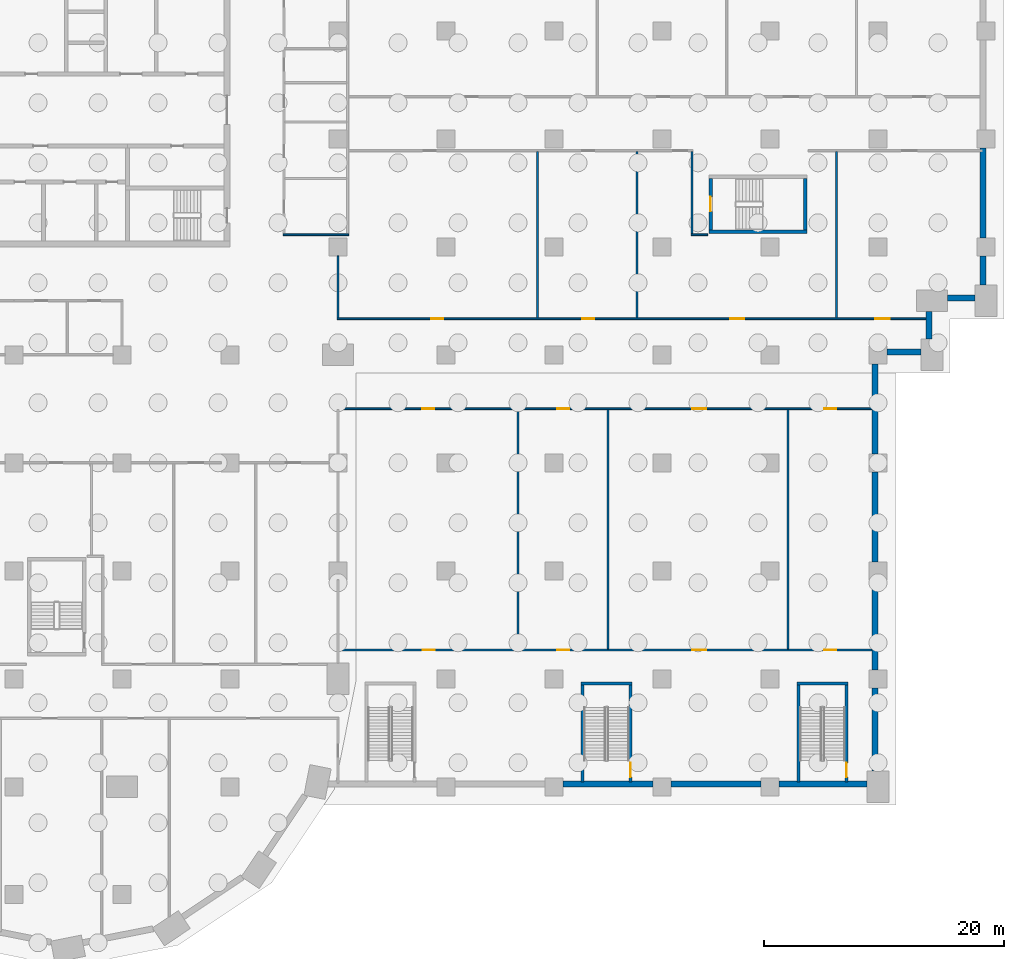
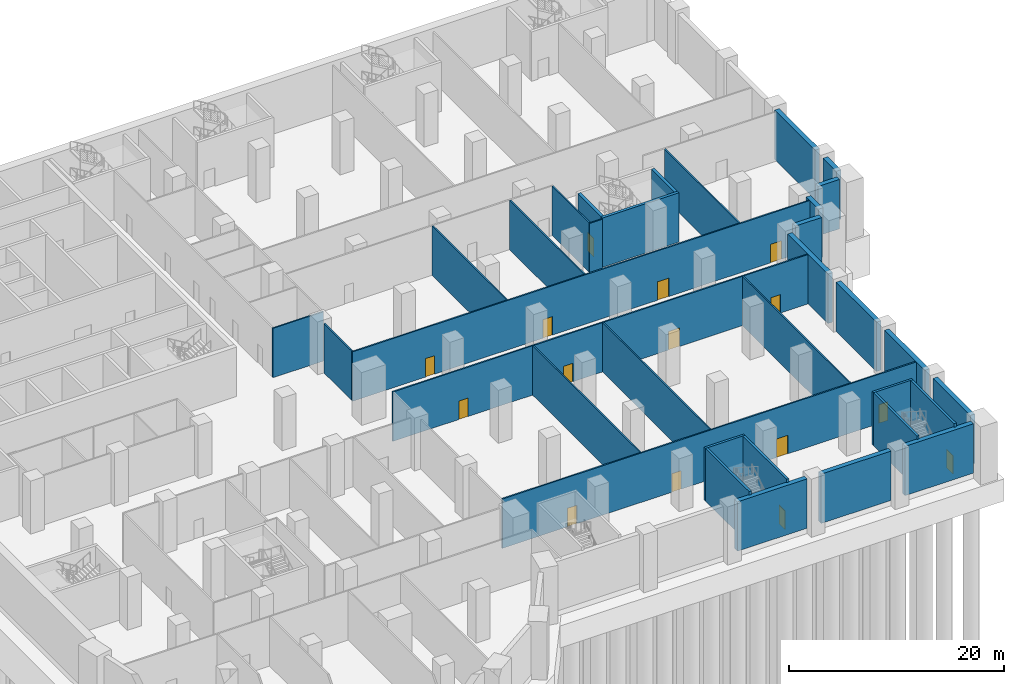
# One storey, part 6 of 25: 34 walls, 15 doors, 15 openings.
"""IFC4 building model written with IfcOpenShell, lengths in metres."""

from ifc_helpers import new_model, si_unit, direction, frame, frame_2d, origin, place, context, subcontext, project, spatial, rectangle, extrude, material, layer, layer_set, type_object, element, fill, save


model = new_model("IFC4")

# Units and contexts
model_context = context("Model", 3, precision=1e-05, world=origin(), true_north=direction((0.0, 1.0)))
body_context = subcontext(model_context, "Body", "Model", "MODEL_VIEW")
ifc_project = project(units=[si_unit("LENGTHUNIT", "METRE"), si_unit("AREAUNIT", "SQUARE_METRE"), si_unit("VOLUMEUNIT", "CUBIC_METRE"), si_unit("PLANEANGLEUNIT", "RADIAN"), si_unit("MASSUNIT", "GRAM", prefix="KILO")], contexts=[model_context])

# Site, building, storey
site_placement = place(None, origin())
site = spatial("IfcSite", under=ifc_project, at=site_placement, CompositionType="ELEMENT")
building_placement = place(site_placement, origin())
building = spatial("IfcBuilding", under=site, at=building_placement, Name="Hunhe Ridgeline Campus", CompositionType="ELEMENT")
storey_placement = place(building_placement, frame((0.0, 0.0, -6.0)))
storey = spatial("IfcBuildingStorey", under=building, at=storey_placement, Name="B1", CompositionType="ELEMENT", Elevation=-6.0)

# Walls
ifc_material_1 = material(Name="Concrete C50", Category="concrete")
ifc_layer_1 = layer(ifc_material_1, 0.5)
ifc_layer_set_1 = layer_set([ifc_layer_1], Name="Basement perimeter wall 500 C50")
wall_type_1 = type_object("IfcWallType", Name="Basement perimeter wall 500 C50", PredefinedType="SOLIDWALL", material=ifc_layer_set_1)
wall_1_placement = place(storey_placement, frame((90.75, 54.25, 0.0), z_axis=(0.0, 0.0, 1.0), x_axis=(1.0, 0.0, 0.0)))
element("IfcWall", 1, at=wall_1_placement, inside=storey, type_object=wall_type_1, Name="Basement perimeter wall", PredefinedType="SOLIDWALL", context=body_context, shape_type="SweptSolid", body=[
    extrude(rectangle(XDim=2.85009765625, YDim=0.5, at=frame_2d((1.425048828125, 0.0))), origin(), (0.0, 0.0, 1.0), 5.60009765625),
])
for number, where, z_axis, x_axis, name in (
    (2, (94.25, 55.300048828125, 0.0), (0.0, 0.0, 1.0), (0.0, 1.0, 0.0), "Basement perimeter wall"),
    (3, (95.800048828125, 58.75, 0.0), (0.0, 0.0, 1.0), (1.0, 0.0, 0.0), "Basement perimeter wall"),
):
    element("IfcWall", number, at=place(storey_placement, frame(where, z_axis=z_axis, x_axis=x_axis)), inside=storey, type_object=wall_type_1, Name=name, PredefinedType="SOLIDWALL", context=body_context, shape_type="SweptSolid", body=[
        extrude(rectangle(XDim=2.300048828125, YDim=0.5, at=frame_2d((1.14990234375, 0.0))), origin(), (0.0, 0.0, 1.0), 5.60009765625),
    ])
wall_2_placement = place(storey_placement, frame((98.75, 59.800048828125, 0.0), z_axis=(0.0, 0.0, 1.0), x_axis=(0.0, 1.0, 0.0)))
element("IfcWall", 4, at=wall_2_placement, inside=storey, type_object=wall_type_1, Name="Basement perimeter wall", PredefinedType="SOLIDWALL", context=body_context, shape_type="SweptSolid", body=[
    extrude(rectangle(XDim=2.449951171875, YDim=0.5, at=frame_2d((1.22509765625, 0.0))), origin(), (0.0, 0.0, 1.0), 5.60009765625),
])
for number, where, z_axis, x_axis, name in (
    (5, (98.75, 63.75, 0.0), (0.0, 0.0, 1.0), (0.0, 1.0, 0.0), "Basement perimeter wall"),
    (6, (63.75, 18.25, 0.0), (0.0, 0.0, 1.0), (1.0, 0.0, 0.0), "Basement perimeter wall"),
    (7, (72.75, 18.25, 0.0), (0.0, 0.0, 1.0), (1.0, 0.0, 0.0), "Basement perimeter wall"),
):
    element("IfcWall", number, at=place(storey_placement, frame(where, z_axis=z_axis, x_axis=x_axis)), inside=storey, type_object=wall_type_1, Name=name, PredefinedType="SOLIDWALL", context=body_context, shape_type="SweptSolid", body=[
        extrude(rectangle(XDim=7.5, YDim=0.5, at=frame_2d((3.75, 0.0))), origin(), (0.0, 0.0, 1.0), 5.60009765625),
    ])
wall_3_placement = place(storey_placement, frame((81.75, 18.25, 0.0), z_axis=(0.0, 0.0, 1.0), x_axis=(1.0, 0.0, 0.0)))
element("IfcWall", 8, at=wall_3_placement, inside=storey, type_object=wall_type_1, Name="Basement perimeter wall", PredefinedType="SOLIDWALL", context=body_context, shape_type="SweptSolid", body=[
    extrude(rectangle(XDim=7.35009765625, YDim=0.5, at=frame_2d((3.675048828125, 0.0))), origin(), (0.0, 0.0, 1.0), 5.60009765625),
])
wall_4_placement = place(storey_placement, frame((89.75, 19.300048828125, 0.0), z_axis=(0.0, 0.0, 1.0), x_axis=(0.0, 1.0, 0.0)))
element("IfcWall", 9, at=wall_4_placement, inside=storey, type_object=wall_type_1, Name="Basement perimeter wall", PredefinedType="SOLIDWALL", context=body_context, shape_type="SweptSolid", body=[
    extrude(rectangle(XDim=6.949951171875, YDim=0.5, at=frame_2d((3.47509765625, 0.0))), origin(), (0.0, 0.0, 1.0), 5.60009765625),
])
for number, where, z_axis, x_axis, name in (
    (10, (89.75, 27.75, 0.0), (0.0, 0.0, 1.0), (0.0, 1.0, 0.0), "Basement perimeter wall"),
    (11, (89.75, 36.75, 0.0), (0.0, 0.0, 1.0), (0.0, 1.0, 0.0), "Basement perimeter wall"),
    (12, (89.75, 45.75, 0.0), (0.0, 0.0, 1.0), (0.0, 1.0, 0.0), "Basement perimeter wall"),
):
    element("IfcWall", number, at=place(storey_placement, frame(where, z_axis=z_axis, x_axis=x_axis)), inside=storey, type_object=wall_type_1, Name=name, PredefinedType="SOLIDWALL", context=body_context, shape_type="SweptSolid", body=[
        extrude(rectangle(XDim=7.5, YDim=0.5, at=frame_2d((3.75, 0.0))), origin(), (0.0, 0.0, 1.0), 5.60009765625),
    ])
ifc_material_2 = material(Name="Plastered blockwork", Category="masonry")
ifc_layer_2 = layer(ifc_material_2, 0.14990234375)
ifc_layer_set_2 = layer_set([ifc_layer_2], Name="Blockwork partition 150")
wall_type_2 = type_object("IfcWallType", Name="Blockwork partition 150", PredefinedType="PARTITIONING", material=ifc_layer_set_2)
wall_5_placement = place(storey_placement, frame((45.0, 57.074951171875, 0.0), z_axis=(0.0, 0.0, 1.0), x_axis=(0.0, 1.0, 0.0)))
element("IfcWall", 13, at=wall_5_placement, inside=storey, type_object=wall_type_2, Name="B1 partition", PredefinedType="PARTITIONING", context=body_context, shape_type="SweptSolid", body=[
    extrude(rectangle(XDim=5.175048828125, YDim=0.14990234375, at=frame_2d((2.58740234375, 0.0))), origin(), (0.0, 0.0, 1.0), 5.60009765625),
])
wall_6_placement = place(storey_placement, frame((60.0, 29.47509765625, 0.0), z_axis=(0.0, 0.0, 1.0), x_axis=(0.0, 1.0, 0.0)))
element("IfcWall", 14, at=wall_6_placement, inside=storey, type_object=wall_type_2, Name="B1 partition", PredefinedType="PARTITIONING", context=body_context, shape_type="SweptSolid", body=[
    extrude(rectangle(XDim=19.949951171875, YDim=0.14990234375, at=frame_2d((9.97509765625, 0.0))), origin(), (0.0, 0.0, 1.0), 5.60009765625),
])

# Wall, openings, doors
wall_7_placement = place(storey_placement, frame((89.699951171875, 29.39990234375, 0.0), z_axis=(0.0, 0.0, 1.0), x_axis=(-1.0, 0.0, 0.0)))
wall_7 = element("IfcWall", 15, at=wall_7_placement, inside=storey, type_object=wall_type_2, Name="B1 partition", PredefinedType="PARTITIONING", context=body_context, shape_type="SweptSolid", body=[
    extrude(rectangle(XDim=44.625, YDim=0.14990234375, at=frame_2d((22.3125, 0.0))), origin(), (0.0, 0.0, 1.0), 5.60009765625),
])
opening_1_placement = place(wall_7_placement, frame((36.625, 0.0, 0.0)))
opening_1 = element("IfcOpeningElement", 16, at=opening_1_placement, cuts=wall_7, Name="Opening PD011", PredefinedType="OPENING", context=body_context, shape_type="SweptSolid", body=[
    extrude(rectangle(XDim=1.0, YDim=2.10009765625, at=frame_2d((0.5, 1.050048828125))), frame((0.0, 0.074951171875, 0.0), z_axis=(0.0, -1.0, 0.0), x_axis=(1.0, 0.0, 0.0)), (0.0, 0.0, 1.0), 0.14990234375),
])
opening_2_placement = place(wall_7_placement, frame((25.449951171875, 0.0, 0.0)))
opening_2 = element("IfcOpeningElement", 17, at=opening_2_placement, cuts=wall_7, Name="Opening PD012", PredefinedType="OPENING", context=body_context, shape_type="SweptSolid", body=[
    extrude(rectangle(XDim=1.0, YDim=2.10009765625, at=frame_2d((0.5, 1.050048828125))), frame((0.0, 0.074951171875, 0.0), z_axis=(0.0, -1.0, 0.0), x_axis=(1.0, 0.0, 0.0)), (0.0, 0.0, 1.0), 0.14990234375),
])
opening_3_placement = place(wall_7_placement, frame((14.0, 0.0, 0.0)))
opening_3 = element("IfcOpeningElement", 18, at=opening_3_placement, cuts=wall_7, Name="Opening PD014", PredefinedType="OPENING", context=body_context, shape_type="SweptSolid", body=[
    extrude(rectangle(XDim=1.199951171875, YDim=2.10009765625, at=frame_2d((0.60009765625, 1.050048828125))), frame((0.0, 0.074951171875, 0.0), z_axis=(0.0, -1.0, 0.0), x_axis=(1.0, 0.0, 0.0)), (0.0, 0.0, 1.0), 0.14990234375),
])
opening_4_placement = place(wall_7_placement, frame((3.199951171875, 0.0, 0.0)))
opening_4 = element("IfcOpeningElement", 19, at=opening_4_placement, cuts=wall_7, Name="Opening PD016", PredefinedType="OPENING", context=body_context, shape_type="SweptSolid", body=[
    extrude(rectangle(XDim=1.0, YDim=2.10009765625, at=frame_2d((0.5, 1.050048828125))), frame((0.0, 0.074951171875, 0.0), z_axis=(0.0, -1.0, 0.0), x_axis=(1.0, 0.0, 0.0)), (0.0, 0.0, 1.0), 0.14990234375),
])
ifc_material_3 = material(Name="Steel Q235", Category="steel")
door_type_1 = type_object("IfcDoorType", Name="Podium fire door 1200x2100 FD60", OperationType="NOTDEFINED", PredefinedType="DOOR", material=ifc_material_3)
door_1_placement = place(opening_3_placement, origin())
door_1 = element("IfcDoor", 20, at=door_1_placement, inside=storey, type_object=door_type_1, Name="Mechanical Plant Room door", OperationType="SINGLE_SWING_LEFT", OverallHeight=2.10009765625, OverallWidth=1.199951171875, PredefinedType="DOOR", context=body_context, shape_type="SweptSolid", body=[
    extrude(rectangle(XDim=1.199951171875, YDim=2.10009765625, at=frame_2d((0.60009765625, 1.050048828125))), frame((0.0, 0.02490234375, 0.0), z_axis=(0.0, -1.0, 0.0), x_axis=(1.0, 0.0, 0.0)), (0.0, 0.0, 1.0), 0.050048828125),
])
fill(opening_3, door_1)
ifc_material_4 = material(Name="Timber", Category="wood")
door_type_2 = type_object("IfcDoorType", Name="Podium timber door 1000x2100", OperationType="NOTDEFINED", PredefinedType="DOOR", material=ifc_material_4)
door_2_placement = place(opening_1_placement, origin())
door_2 = element("IfcDoor", 21, at=door_2_placement, inside=storey, type_object=door_type_2, Name="Workshop door", OperationType="SINGLE_SWING_RIGHT", OverallHeight=2.10009765625, OverallWidth=1.0, PredefinedType="DOOR", context=body_context, shape_type="SweptSolid", body=[
    extrude(rectangle(XDim=1.0, YDim=2.10009765625, at=frame_2d((0.5, 1.050048828125))), frame((0.0, 0.02490234375, 0.0), z_axis=(0.0, -1.0, 0.0), x_axis=(1.0, 0.0, 0.0)), (0.0, 0.0, 1.0), 0.050048828125),
])
fill(opening_1, door_2)
door_3_placement = place(opening_2_placement, origin())
door_3 = element("IfcDoor", 22, at=door_3_placement, inside=storey, type_object=door_type_2, Name="Print and Copy Room door", OperationType="SINGLE_SWING_RIGHT", OverallHeight=2.10009765625, OverallWidth=1.0, PredefinedType="DOOR", context=body_context, shape_type="SweptSolid", body=[
    extrude(rectangle(XDim=1.0, YDim=2.10009765625, at=frame_2d((0.5, 1.050048828125))), frame((0.0, 0.02490234375, 0.0), z_axis=(0.0, -1.0, 0.0), x_axis=(1.0, 0.0, 0.0)), (0.0, 0.0, 1.0), 0.050048828125),
])
fill(opening_2, door_3)
door_4_placement = place(opening_4_placement, origin())
door_4 = element("IfcDoor", 23, at=door_4_placement, inside=storey, type_object=door_type_2, Name="Cleaners Depot Store door", OperationType="SINGLE_SWING_LEFT", OverallHeight=2.10009765625, OverallWidth=1.0, PredefinedType="DOOR", context=body_context, shape_type="SweptSolid", body=[
    extrude(rectangle(XDim=1.0, YDim=2.10009765625, at=frame_2d((0.5, 1.050048828125))), frame((0.0, 0.02490234375, 0.0), z_axis=(0.0, -1.0, 0.0), x_axis=(1.0, 0.0, 0.0)), (0.0, 0.0, 1.0), 0.050048828125),
])
fill(opening_4, door_4)

wall_8_placement = place(storey_placement, frame((44.925048828125, 49.5, 0.0), z_axis=(0.0, 0.0, 1.0), x_axis=(1.0, 0.0, 0.0)))
wall_8 = element("IfcWall", 24, at=wall_8_placement, inside=storey, type_object=wall_type_2, Name="B1 partition", PredefinedType="PARTITIONING", context=body_context, shape_type="SweptSolid", body=[
    extrude(rectangle(XDim=44.77490234375, YDim=0.14990234375, at=frame_2d((22.387451171875, 0.0))), origin(), (0.0, 0.0, 1.0), 5.60009765625),
])
opening_5_placement = place(wall_8_placement, frame((7.074951171875, 0.0, 0.0)))
opening_5 = element("IfcOpeningElement", 25, at=opening_5_placement, cuts=wall_8, Name="Opening PD010", PredefinedType="OPENING", context=body_context, shape_type="SweptSolid", body=[
    extrude(rectangle(XDim=1.0, YDim=2.10009765625, at=frame_2d((0.5, 1.050048828125))), frame((0.0, 0.074951171875, 0.0), z_axis=(0.0, -1.0, 0.0), x_axis=(1.0, 0.0, 0.0)), (0.0, 0.0, 1.0), 0.14990234375),
])
opening_6_placement = place(wall_8_placement, frame((18.324951171875, 0.0, 0.0)))
opening_6 = element("IfcOpeningElement", 26, at=opening_6_placement, cuts=wall_8, Name="Opening PD013", PredefinedType="OPENING", context=body_context, shape_type="SweptSolid", body=[
    extrude(rectangle(XDim=1.0, YDim=2.10009765625, at=frame_2d((0.5, 1.050048828125))), frame((0.0, 0.074951171875, 0.0), z_axis=(0.0, -1.0, 0.0), x_axis=(1.0, 0.0, 0.0)), (0.0, 0.0, 1.0), 0.14990234375),
])
opening_7_placement = place(wall_8_placement, frame((29.574951171875, 0.0, 0.0)))
opening_7 = element("IfcOpeningElement", 27, at=opening_7_placement, cuts=wall_8, Name="Opening PD015", PredefinedType="OPENING", context=body_context, shape_type="SweptSolid", body=[
    extrude(rectangle(XDim=1.199951171875, YDim=2.10009765625, at=frame_2d((0.60009765625, 1.050048828125))), frame((0.0, 0.074951171875, 0.0), z_axis=(0.0, -1.0, 0.0), x_axis=(1.0, 0.0, 0.0)), (0.0, 0.0, 1.0), 0.14990234375),
])
opening_8_placement = place(wall_8_placement, frame((40.574951171875, 0.0, 0.0)))
opening_8 = element("IfcOpeningElement", 28, at=opening_8_placement, cuts=wall_8, Name="Opening PD017", PredefinedType="OPENING", context=body_context, shape_type="SweptSolid", body=[
    extrude(rectangle(XDim=1.0, YDim=2.10009765625, at=frame_2d((0.5, 1.050048828125))), frame((0.0, 0.074951171875, 0.0), z_axis=(0.0, -1.0, 0.0), x_axis=(1.0, 0.0, 0.0)), (0.0, 0.0, 1.0), 0.14990234375),
])
door_5_placement = place(opening_7_placement, origin())
door_5 = element("IfcDoor", 29, at=door_5_placement, inside=storey, type_object=door_type_1, Name="Mechanical Plant Room door", OperationType="SINGLE_SWING_RIGHT", OverallHeight=2.10009765625, OverallWidth=1.199951171875, PredefinedType="DOOR", context=body_context, shape_type="SweptSolid", body=[
    extrude(rectangle(XDim=1.199951171875, YDim=2.10009765625, at=frame_2d((0.60009765625, 1.050048828125))), frame((0.0, 0.02490234375, 0.0), z_axis=(0.0, -1.0, 0.0), x_axis=(1.0, 0.0, 0.0)), (0.0, 0.0, 1.0), 0.050048828125),
])
fill(opening_7, door_5)
door_6_placement = place(opening_5_placement, origin())
door_6 = element("IfcDoor", 30, at=door_6_placement, inside=storey, type_object=door_type_2, Name="Workshop door", OperationType="SINGLE_SWING_LEFT", OverallHeight=2.10009765625, OverallWidth=1.0, PredefinedType="DOOR", context=body_context, shape_type="SweptSolid", body=[
    extrude(rectangle(XDim=1.0, YDim=2.10009765625, at=frame_2d((0.5, 1.050048828125))), frame((0.0, 0.02490234375, 0.0), z_axis=(0.0, -1.0, 0.0), x_axis=(1.0, 0.0, 0.0)), (0.0, 0.0, 1.0), 0.050048828125),
])
fill(opening_5, door_6)
door_7_placement = place(opening_6_placement, origin())
door_7 = element("IfcDoor", 31, at=door_7_placement, inside=storey, type_object=door_type_2, Name="Print and Copy Room door", OperationType="SINGLE_SWING_LEFT", OverallHeight=2.10009765625, OverallWidth=1.0, PredefinedType="DOOR", context=body_context, shape_type="SweptSolid", body=[
    extrude(rectangle(XDim=1.0, YDim=2.10009765625, at=frame_2d((0.5, 1.050048828125))), frame((0.0, 0.02490234375, 0.0), z_axis=(0.0, -1.0, 0.0), x_axis=(1.0, 0.0, 0.0)), (0.0, 0.0, 1.0), 0.050048828125),
])
fill(opening_6, door_7)
door_8_placement = place(opening_8_placement, origin())
door_8 = element("IfcDoor", 32, at=door_8_placement, inside=storey, type_object=door_type_2, Name="Cleaners Depot Store door", OperationType="SINGLE_SWING_RIGHT", OverallHeight=2.10009765625, OverallWidth=1.0, PredefinedType="DOOR", context=body_context, shape_type="SweptSolid", body=[
    extrude(rectangle(XDim=1.0, YDim=2.10009765625, at=frame_2d((0.5, 1.050048828125))), frame((0.0, 0.02490234375, 0.0), z_axis=(0.0, -1.0, 0.0), x_axis=(1.0, 0.0, 0.0)), (0.0, 0.0, 1.0), 0.050048828125),
])
fill(opening_8, door_8)

# Walls
for number, where, z_axis, x_axis, name in (
    (33, (67.5, 29.47509765625, 0.0), (0.0, 0.0, 1.0), (0.0, 1.0, 0.0), "B1 partition"),
    (34, (82.5, 29.47509765625, 0.0), (0.0, 0.0, 1.0), (0.0, 1.0, 0.0), "B1 partition"),
):
    element("IfcWall", number, at=place(storey_placement, frame(where, z_axis=z_axis, x_axis=x_axis)), inside=storey, type_object=wall_type_2, Name=name, PredefinedType="PARTITIONING", context=body_context, shape_type="SweptSolid", body=[
        extrude(rectangle(XDim=19.949951171875, YDim=0.14990234375, at=frame_2d((9.97509765625, 0.0))), origin(), (0.0, 0.0, 1.0), 5.60009765625),
    ])
wall_9_placement = place(storey_placement, frame((45.875, 64.0, 0.0), z_axis=(0.0, 0.0, 1.0), x_axis=(-1.0, 0.0, 0.0)))
element("IfcWall", 35, at=wall_9_placement, inside=storey, type_object=wall_type_2, Name="B1 partition", PredefinedType="PARTITIONING", context=body_context, shape_type="SweptSolid", body=[
    extrude(rectangle(XDim=5.449951171875, YDim=0.14990234375, at=frame_2d((2.72509765625, 0.0))), origin(), (0.0, 0.0, 1.0), 5.60009765625),
])
wall_10_placement = place(storey_placement, frame((74.425048828125, 64.0, 0.0), z_axis=(0.0, 0.0, 1.0), x_axis=(1.0, 0.0, 0.0)))
element("IfcWall", 36, at=wall_10_placement, inside=storey, type_object=wall_type_2, Name="B1 partition", PredefinedType="PARTITIONING", context=body_context, shape_type="SweptSolid", body=[
    extrude(rectangle(XDim=1.375, YDim=0.14990234375, at=frame_2d((0.6875, 0.0))), origin(), (0.0, 0.0, 1.0), 5.60009765625),
])
wall_11_placement = place(storey_placement, frame((61.614990234375, 57.074951171875, 0.0), z_axis=(0.0, 0.0, 1.0), x_axis=(0.0, 1.0, 0.0)))
element("IfcWall", 37, at=wall_11_placement, inside=storey, type_object=wall_type_2, Name="B1 partition", PredefinedType="PARTITIONING", context=body_context, shape_type="SweptSolid", body=[
    extrude(rectangle(XDim=13.85009765625, YDim=0.14990234375, at=frame_2d((6.925048828125, 0.0))), origin(), (0.0, 0.0, 1.0), 5.60009765625),
])

# Wall, openings, doors
wall_12_placement = place(storey_placement, frame((94.199951171875, 57.0, 0.0), z_axis=(0.0, 0.0, 1.0), x_axis=(-1.0, 0.0, 0.0)))
wall_12 = element("IfcWall", 38, at=wall_12_placement, inside=storey, type_object=wall_type_2, Name="B1 partition", PredefinedType="PARTITIONING", context=body_context, shape_type="SweptSolid", body=[
    extrude(rectangle(XDim=49.27490234375, YDim=0.14990234375, at=frame_2d((24.637451171875, 0.0))), origin(), (0.0, 0.0, 1.0), 5.60009765625),
])
opening_9_placement = place(wall_12_placement, frame((40.449951171875, 0.0, 0.0)))
opening_9 = element("IfcOpeningElement", 39, at=opening_9_placement, cuts=wall_12, Name="Opening PD034", PredefinedType="OPENING", context=body_context, shape_type="SweptSolid", body=[
    extrude(rectangle(XDim=1.0, YDim=2.10009765625, at=frame_2d((0.5, 1.050048828125))), frame((0.0, 0.074951171875, 0.0), z_axis=(0.0, -1.0, 0.0), x_axis=(1.0, 0.0, 0.0)), (0.0, 0.0, 1.0), 0.14990234375),
])
opening_10_placement = place(wall_12_placement, frame((27.8349609375, 0.0, 0.0)))
opening_10 = element("IfcOpeningElement", 40, at=opening_10_placement, cuts=wall_12, Name="Opening PD036", PredefinedType="OPENING", context=body_context, shape_type="SweptSolid", body=[
    extrude(rectangle(XDim=1.0, YDim=2.10009765625, at=frame_2d((0.5, 1.050048828125))), frame((0.0, 0.074951171875, 0.0), z_axis=(0.0, -1.0, 0.0), x_axis=(1.0, 0.0, 0.0)), (0.0, 0.0, 1.0), 0.14990234375),
])
opening_11_placement = place(wall_12_placement, frame((15.326904296875, 0.0, 0.0)))
opening_11 = element("IfcOpeningElement", 41, at=opening_11_placement, cuts=wall_12, Name="Opening PD038", PredefinedType="OPENING", context=body_context, shape_type="SweptSolid", body=[
    extrude(rectangle(XDim=1.199951171875, YDim=2.10009765625, at=frame_2d((0.60009765625, 1.050048828125))), frame((0.0, 0.074951171875, 0.0), z_axis=(0.0, -1.0, 0.0), x_axis=(1.0, 0.0, 0.0)), (0.0, 0.0, 1.0), 0.14990234375),
])
opening_12_placement = place(wall_12_placement, frame((3.2119140625, 0.0, 0.0)))
opening_12 = element("IfcOpeningElement", 42, at=opening_12_placement, cuts=wall_12, Name="Opening PD041", PredefinedType="OPENING", context=body_context, shape_type="SweptSolid", body=[
    extrude(rectangle(XDim=1.199951171875, YDim=2.10009765625, at=frame_2d((0.60009765625, 1.050048828125))), frame((0.0, 0.074951171875, 0.0), z_axis=(0.0, -1.0, 0.0), x_axis=(1.0, 0.0, 0.0)), (0.0, 0.0, 1.0), 0.14990234375),
])
door_9_placement = place(opening_11_placement, origin())
door_9 = element("IfcDoor", 43, at=door_9_placement, inside=storey, type_object=door_type_1, Name="Plant Room door", OperationType="SINGLE_SWING_LEFT", OverallHeight=2.10009765625, OverallWidth=1.199951171875, PredefinedType="DOOR", context=body_context, shape_type="SweptSolid", body=[
    extrude(rectangle(XDim=1.199951171875, YDim=2.10009765625, at=frame_2d((0.60009765625, 1.050048828125))), frame((0.0, 0.02490234375, 0.0), z_axis=(0.0, -1.0, 0.0), x_axis=(1.0, 0.0, 0.0)), (0.0, 0.0, 1.0), 0.050048828125),
])
fill(opening_11, door_9)
door_10_placement = place(opening_12_placement, origin())
door_10 = element("IfcDoor", 44, at=door_10_placement, inside=storey, type_object=door_type_1, Name="Generator Plant Room door", OperationType="SINGLE_SWING_LEFT", OverallHeight=2.10009765625, OverallWidth=1.199951171875, PredefinedType="DOOR", context=body_context, shape_type="SweptSolid", body=[
    extrude(rectangle(XDim=1.199951171875, YDim=2.10009765625, at=frame_2d((0.60009765625, 1.050048828125))), frame((0.0, 0.02490234375, 0.0), z_axis=(0.0, -1.0, 0.0), x_axis=(1.0, 0.0, 0.0)), (0.0, 0.0, 1.0), 0.050048828125),
])
fill(opening_12, door_10)
door_11_placement = place(opening_9_placement, origin())
door_11 = element("IfcDoor", 45, at=door_11_placement, inside=storey, type_object=door_type_2, Name="Workshop door", OperationType="SINGLE_SWING_RIGHT", OverallHeight=2.10009765625, OverallWidth=1.0, PredefinedType="DOOR", context=body_context, shape_type="SweptSolid", body=[
    extrude(rectangle(XDim=1.0, YDim=2.10009765625, at=frame_2d((0.5, 1.050048828125))), frame((0.0, 0.02490234375, 0.0), z_axis=(0.0, -1.0, 0.0), x_axis=(1.0, 0.0, 0.0)), (0.0, 0.0, 1.0), 0.050048828125),
])
fill(opening_9, door_11)
door_12_placement = place(opening_10_placement, origin())
door_12 = element("IfcDoor", 46, at=door_12_placement, inside=storey, type_object=door_type_2, Name="Maintenance Store door", OperationType="SINGLE_SWING_RIGHT", OverallHeight=2.10009765625, OverallWidth=1.0, PredefinedType="DOOR", context=body_context, shape_type="SweptSolid", body=[
    extrude(rectangle(XDim=1.0, YDim=2.10009765625, at=frame_2d((0.5, 1.050048828125))), frame((0.0, 0.02490234375, 0.0), z_axis=(0.0, -1.0, 0.0), x_axis=(1.0, 0.0, 0.0)), (0.0, 0.0, 1.0), 0.050048828125),
])
fill(opening_10, door_12)

# Walls
for number, where, z_axis, x_axis, name in (
    (47, (69.923095703125, 57.074951171875, 0.0), (0.0, 0.0, 1.0), (0.0, 1.0, 0.0), "B1 partition"),
    (48, (86.5380859375, 57.074951171875, 0.0), (0.0, 0.0, 1.0), (0.0, 1.0, 0.0), "B1 partition"),
):
    element("IfcWall", number, at=place(storey_placement, frame(where, z_axis=z_axis, x_axis=x_axis)), inside=storey, type_object=wall_type_2, Name=name, PredefinedType="PARTITIONING", context=body_context, shape_type="SweptSolid", body=[
        extrude(rectangle(XDim=13.85009765625, YDim=0.14990234375, at=frame_2d((6.925048828125, 0.0))), origin(), (0.0, 0.0, 1.0), 5.60009765625),
    ])
wall_13_placement = place(storey_placement, frame((74.5, 70.925048828125, 0.0), z_axis=(0.0, 0.0, 1.0), x_axis=(0.0, -1.0, 0.0)))
element("IfcWall", 49, at=wall_13_placement, inside=storey, type_object=wall_type_2, Name="B1 partition", PredefinedType="PARTITIONING", context=body_context, shape_type="SweptSolid", body=[
    extrude(rectangle(XDim=6.85009765625, YDim=0.14990234375, at=frame_2d((3.425048828125, 0.0))), origin(), (0.0, 0.0, 1.0), 5.60009765625),
])
ifc_material_5 = material(Name="Concrete C40", Category="concrete")
ifc_layer_3 = layer(ifc_material_5, 0.25)
ifc_layer_set_3 = layer_set([ifc_layer_3], Name="Stair shaft wall 250 C40")
wall_type_3 = type_object("IfcWallType", Name="Stair shaft wall 250 C40", PredefinedType="SOLIDWALL", material=ifc_layer_set_3)
wall_14_placement = place(storey_placement, frame((65.375, 18.39990234375, 0.0), z_axis=(0.0, 0.0, 1.0), x_axis=(0.0, 1.0, 0.0)))
element("IfcWall", 50, at=wall_14_placement, inside=storey, type_object=wall_type_3, Name="B1 PS2 shaft wall", PredefinedType="SOLIDWALL", context=body_context, shape_type="SweptSolid", body=[
    extrude(rectangle(XDim=8.10009765625, YDim=0.25, at=frame_2d((4.050048828125, 0.0))), origin(), (0.0, 0.0, 1.0), 6.0),
])

# Wall, opening, door
wall_15_placement = place(storey_placement, frame((69.375, 26.5, 0.0), z_axis=(0.0, 0.0, 1.0), x_axis=(0.0, -1.0, 0.0)))
wall_15 = element("IfcWall", 51, at=wall_15_placement, inside=storey, type_object=wall_type_3, Name="B1 PS2 shaft wall", PredefinedType="SOLIDWALL", context=body_context, shape_type="SweptSolid", body=[
    extrude(rectangle(XDim=8.10009765625, YDim=0.25, at=frame_2d((4.050048828125, 0.0))), origin(), (0.0, 0.0, 1.0), 6.0),
])
opening_13_placement = place(wall_15_placement, frame((6.5, 0.0, 0.0)))
opening_13 = element("IfcOpeningElement", 52, at=opening_13_placement, cuts=wall_15, Name="Opening PD002", PredefinedType="OPENING", context=body_context, shape_type="SweptSolid", body=[
    extrude(rectangle(XDim=1.199951171875, YDim=2.10009765625, at=frame_2d((0.60009765625, 1.050048828125))), frame((0.0, 0.125, 0.0), z_axis=(0.0, -1.0, 0.0), x_axis=(1.0, 0.0, 0.0)), (0.0, 0.0, 1.0), 0.25),
])
door_13_placement = place(opening_13_placement, origin())
door_13 = element("IfcDoor", 53, at=door_13_placement, inside=storey, type_object=door_type_1, Name="Stair door PS2", OperationType="SINGLE_SWING_LEFT", OverallHeight=2.10009765625, OverallWidth=1.199951171875, PredefinedType="DOOR", context=body_context, shape_type="SweptSolid", body=[
    extrude(rectangle(XDim=1.199951171875, YDim=2.10009765625, at=frame_2d((0.60009765625, 1.050048828125))), frame((0.0, 0.02490234375, 0.0), z_axis=(0.0, -1.0, 0.0), x_axis=(1.0, 0.0, 0.0)), (0.0, 0.0, 1.0), 0.050048828125),
])
fill(opening_13, door_13)

# Walls
wall_16_placement = place(storey_placement, frame((65.25, 26.625, 0.0), z_axis=(0.0, 0.0, 1.0), x_axis=(1.0, 0.0, 0.0)))
element("IfcWall", 54, at=wall_16_placement, inside=storey, type_object=wall_type_3, Name="B1 PS2 shaft wall", PredefinedType="SOLIDWALL", context=body_context, shape_type="SweptSolid", body=[
    extrude(rectangle(XDim=4.25, YDim=0.25, at=frame_2d((2.125, 0.0))), origin(), (0.0, 0.0, 1.0), 6.0),
])
wall_17_placement = place(storey_placement, frame((83.375, 18.39990234375, 0.0), z_axis=(0.0, 0.0, 1.0), x_axis=(0.0, 1.0, 0.0)))
element("IfcWall", 55, at=wall_17_placement, inside=storey, type_object=wall_type_3, Name="B1 PS3 shaft wall", PredefinedType="SOLIDWALL", context=body_context, shape_type="SweptSolid", body=[
    extrude(rectangle(XDim=8.10009765625, YDim=0.25, at=frame_2d((4.050048828125, 0.0))), origin(), (0.0, 0.0, 1.0), 6.0),
])

# Wall, opening, door
wall_18_placement = place(storey_placement, frame((87.375, 26.5, 0.0), z_axis=(0.0, 0.0, 1.0), x_axis=(0.0, -1.0, 0.0)))
wall_18 = element("IfcWall", 56, at=wall_18_placement, inside=storey, type_object=wall_type_3, Name="B1 PS3 shaft wall", PredefinedType="SOLIDWALL", context=body_context, shape_type="SweptSolid", body=[
    extrude(rectangle(XDim=8.10009765625, YDim=0.25, at=frame_2d((4.050048828125, 0.0))), origin(), (0.0, 0.0, 1.0), 6.0),
])
opening_14_placement = place(wall_18_placement, frame((6.5, 0.0, 0.0)))
opening_14 = element("IfcOpeningElement", 57, at=opening_14_placement, cuts=wall_18, Name="Opening PD003", PredefinedType="OPENING", context=body_context, shape_type="SweptSolid", body=[
    extrude(rectangle(XDim=1.199951171875, YDim=2.10009765625, at=frame_2d((0.60009765625, 1.050048828125))), frame((0.0, 0.125, 0.0), z_axis=(0.0, -1.0, 0.0), x_axis=(1.0, 0.0, 0.0)), (0.0, 0.0, 1.0), 0.25),
])
door_14_placement = place(opening_14_placement, origin())
door_14 = element("IfcDoor", 58, at=door_14_placement, inside=storey, type_object=door_type_1, Name="Stair door PS3", OperationType="SINGLE_SWING_LEFT", OverallHeight=2.10009765625, OverallWidth=1.199951171875, PredefinedType="DOOR", context=body_context, shape_type="SweptSolid", body=[
    extrude(rectangle(XDim=1.199951171875, YDim=2.10009765625, at=frame_2d((0.60009765625, 1.050048828125))), frame((0.0, 0.02490234375, 0.0), z_axis=(0.0, -1.0, 0.0), x_axis=(1.0, 0.0, 0.0)), (0.0, 0.0, 1.0), 0.050048828125),
])
fill(opening_14, door_14)

# Walls
wall_19_placement = place(storey_placement, frame((83.25, 26.625, 0.0), z_axis=(0.0, 0.0, 1.0), x_axis=(1.0, 0.0, 0.0)))
element("IfcWall", 59, at=wall_19_placement, inside=storey, type_object=wall_type_3, Name="B1 PS3 shaft wall", PredefinedType="SOLIDWALL", context=body_context, shape_type="SweptSolid", body=[
    extrude(rectangle(XDim=4.25, YDim=0.25, at=frame_2d((2.125, 0.0))), origin(), (0.0, 0.0, 1.0), 6.0),
])
ifc_material_6 = material(Name="Concrete C80", Category="concrete")
ifc_layer_4 = layer(ifc_material_6, 0.300048828125)
ifc_layer_set_4 = layer_set([ifc_layer_4], Name="Stair wall 300 reinforced concrete C80")
wall_type_4 = type_object("IfcWallType", Name="Stair wall 300 reinforced concrete C80", PredefinedType="SOLIDWALL", material=ifc_layer_set_4)
wall_20_placement = place(storey_placement, frame((75.89990234375, 64.25, 0.0), z_axis=(0.0, 0.0, 1.0), x_axis=(1.0, 0.0, 0.0)))
element("IfcWall", 60, at=wall_20_placement, inside=storey, type_object=wall_type_4, Name="B1 core wall 8", PredefinedType="SOLIDWALL", context=body_context, shape_type="SweptSolid", body=[
    extrude(rectangle(XDim=8.2001953125, YDim=0.300048828125, at=frame_2d((4.10009765625, 0.0))), origin(), (0.0, 0.0, 1.0), 5.60009765625),
])

# Wall, opening, door
wall_21_placement = place(storey_placement, frame((76.050048828125, 64.39990234375, 0.0), z_axis=(0.0, 0.0, 1.0), x_axis=(0.0, 1.0, 0.0)))
wall_21 = element("IfcWall", 61, at=wall_21_placement, inside=storey, type_object=wall_type_4, Name="B1 core wall 71", PredefinedType="SOLIDWALL", context=body_context, shape_type="SweptSolid", body=[
    extrude(rectangle(XDim=4.300048828125, YDim=0.300048828125, at=frame_2d((2.14990234375, 0.0))), origin(), (0.0, 0.0, 1.0), 5.60009765625),
])
opening_15_placement = place(wall_21_placement, frame((1.550048828125, 0.0, 0.0)))
opening_15 = element("IfcOpeningElement", 62, at=opening_15_placement, cuts=wall_21, Name="Opening CD24", PredefinedType="OPENING", context=body_context, shape_type="SweptSolid", body=[
    extrude(rectangle(XDim=1.199951171875, YDim=2.10009765625, at=frame_2d((0.60009765625, 1.050048828125))), frame((0.0, 0.14990234375, 0.0), z_axis=(0.0, -1.0, 0.0), x_axis=(1.0, 0.0, 0.0)), (0.0, 0.0, 1.0), 0.300048828125),
])
ifc_material_7 = material(Name="Hollow metal fire door leaf")
door_type_3 = type_object("IfcDoorType", Name="Stair door 1200x2100 FD60", OperationType="SINGLE_SWING_LEFT", PredefinedType="DOOR", material=ifc_material_7)
door_15_placement = place(opening_15_placement, origin())
door_15 = element("IfcDoor", 63, at=door_15_placement, inside=storey, type_object=door_type_3, Name="B1 door E5", OperationType="SINGLE_SWING_RIGHT", OverallHeight=2.10009765625, OverallWidth=1.199951171875, PredefinedType="DOOR", context=body_context, shape_type="SweptSolid", body=[
    extrude(rectangle(XDim=1.199951171875, YDim=2.10009765625, at=frame_2d((0.60009765625, 1.050048828125))), frame((0.0, 0.02490234375, 0.0), z_axis=(0.0, -1.0, 0.0), x_axis=(1.0, 0.0, 0.0)), (0.0, 0.0, 1.0), 0.050048828125),
])
fill(opening_15, door_15)

# Wall
wall_22_placement = place(storey_placement, frame((83.949951171875, 64.39990234375, 0.0), z_axis=(0.0, 0.0, 1.0), x_axis=(0.0, 1.0, 0.0)))
element("IfcWall", 64, at=wall_22_placement, inside=storey, type_object=wall_type_4, Name="B1 core wall 72", PredefinedType="SOLIDWALL", context=body_context, shape_type="SweptSolid", body=[
    extrude(rectangle(XDim=4.300048828125, YDim=0.300048828125, at=frame_2d((2.14990234375, 0.0))), origin(), (0.0, 0.0, 1.0), 5.60009765625),
])

save(model, "model.ifc")
